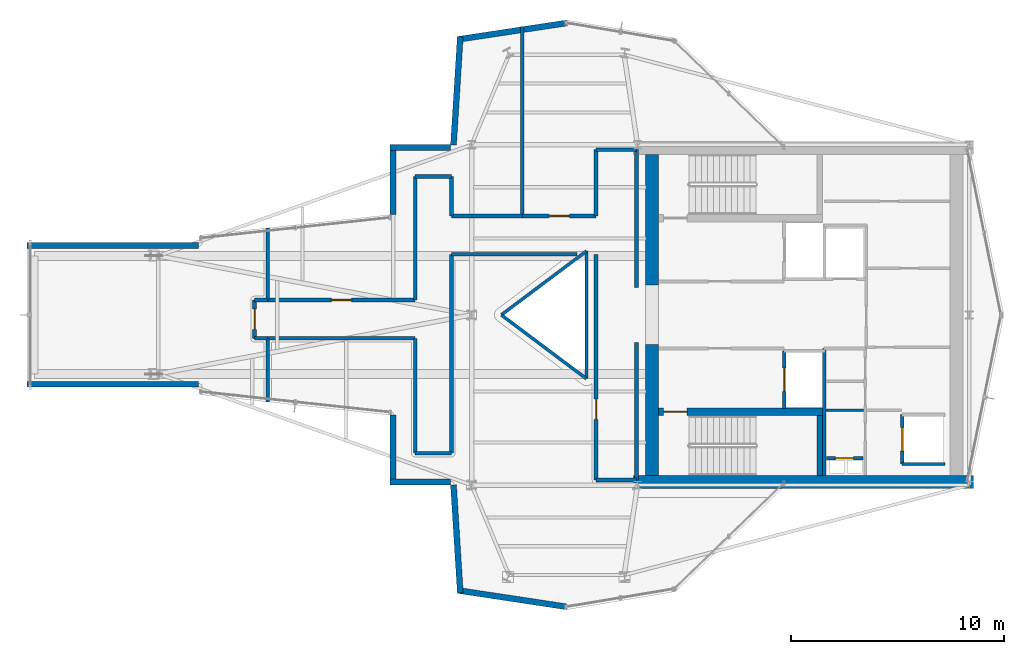
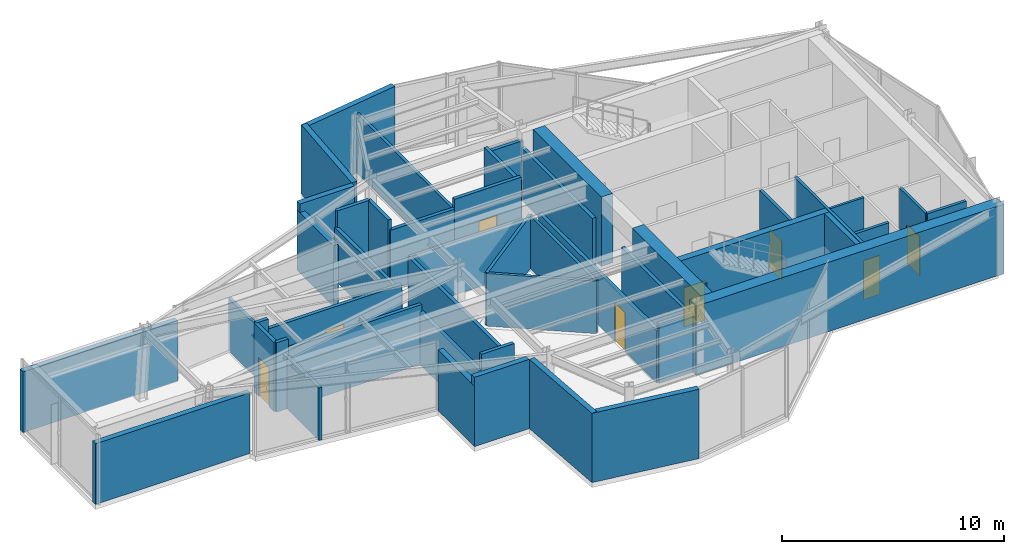
# One storey, part 13 of 18: 47 walls, 8 doors, 8 openings.
"""IFC4 building model written with IfcOpenShell, lengths in metres."""

from ifc_helpers import new_model, si_unit, direction, frame, frame_2d, origin, place, context, subcontext, project, spatial, rectangle, extrude, material, layer, layer_set, type_object, element, fill, save


model = new_model("IFC4")

# Units and contexts
model_context = context("Model", 3, precision=1e-05, world=origin(), true_north=direction((0.0, 1.0)))
body_context = subcontext(model_context, "Body", "Model", "MODEL_VIEW")
ifc_project = project(units=[si_unit("LENGTHUNIT", "METRE"), si_unit("AREAUNIT", "SQUARE_METRE"), si_unit("VOLUMEUNIT", "CUBIC_METRE"), si_unit("PLANEANGLEUNIT", "RADIAN"), si_unit("MASSUNIT", "GRAM", prefix="KILO")], contexts=[model_context])

# Site, building, storey
site_placement = place(None, origin())
site = spatial("IfcSite", under=ifc_project, at=site_placement, CompositionType="ELEMENT")
building_placement = place(site_placement, origin())
building = spatial("IfcBuilding", under=site, at=building_placement, Name="Veymaron Broadcast Tower", CompositionType="ELEMENT")
storey_placement = place(building_placement, frame((0.0, 0.0, 319.5)))
storey = spatial("IfcBuildingStorey", under=building, at=storey_placement, Name="L75", CompositionType="ELEMENT", Elevation=319.5)

# Walls
ifc_material_1 = material(Name="Precast concrete C40/50", Category="concrete")
ifc_layer_1 = layer(ifc_material_1, 0.280029296875)
ifc_layer_set_1 = layer_set([ifc_layer_1], Name="Precast concrete C40/50")
wall_type_1 = type_object("IfcWallType", Name="WALL-EXT-280", PredefinedType="STANDARD", material=ifc_layer_set_1)
wall_1_placement = place(storey_placement, frame((27.498291015625, 19.284423828125, 0.0), z_axis=(0.0, 0.0, 1.0), x_axis=(0.0, -1.0, 0.0)))
element("IfcWall", 1, at=wall_1_placement, inside=storey, type_object=wall_type_1, Name="L75 notched corner facade pier 3-1", PredefinedType="STANDARD", context=body_context, shape_type="SweptSolid", body=[
    extrude(rectangle(XDim=3.284423828125, YDim=0.280029296875, at=frame_2d((1.64208984375, 0.0))), origin(), (0.0, 0.0, 1.0), 3.339111328125),
])
wall_2_placement = place(storey_placement, frame((27.3583984375, 16.139892578125, 0.0), z_axis=(0.0, 0.0, 1.0), x_axis=(1.0, 0.0, 0.0)))
element("IfcWall", 2, at=wall_2_placement, inside=storey, type_object=wall_type_1, Name="L75 notched corner facade pier 4-1", PredefinedType="STANDARD", context=body_context, shape_type="SweptSolid", body=[
    extrude(rectangle(XDim=2.85009765625, YDim=0.280029296875, at=frame_2d((1.425048828125, 0.0))), origin(), (0.0, 0.0, 1.0), 3.81005859375),
])
wall_3_placement = place(storey_placement, frame((30.34814453125, 16.0087890625, 0.0), z_axis=(0.0, 0.0, 1.0), x_axis=(0.062485600391, -0.998045865551, 0.0)))
element("IfcWall", 3, at=wall_3_placement, inside=storey, type_object=wall_type_1, Name="L75 notched corner facade pier 5-1", PredefinedType="STANDARD", context=body_context, shape_type="SweptSolid", body=[
    extrude(rectangle(XDim=5.098876953125, YDim=0.280029296875, at=frame_2d((2.54931640625, 0.0))), origin(), (0.0, 0.0, 1.0), 3.81005859375),
])
for number, where, z_axis, x_axis, name in (
    (4, (30.548095703125, 11.049560546875, 0.0), (0.0, 0.0, 1.0), (0.988753702072, -0.149553056265, 0.0), "L75 notched corner facade pier 6-1"),
    (5, (35.677734375, 37.726318359375, 0.0), (0.0, 0.0, 1.0), (-0.988753702072, -0.149553056265, 0.0), "L75 notched corner facade pier 15-1"),
):
    element("IfcWall", number, at=place(storey_placement, frame(where, z_axis=z_axis, x_axis=x_axis)), inside=storey, type_object=wall_type_1, Name=name, PredefinedType="STANDARD", context=body_context, shape_type="SweptSolid", body=[
        extrude(rectangle(XDim=5.18798828125, YDim=0.280029296875, at=frame_2d((2.593994140625, 0.0))), origin(), (0.0, 0.0, 1.0), 3.81005859375),
    ])
wall_4_placement = place(storey_placement, frame((30.666748046875, 37.080078125, 0.0), z_axis=(0.0, 0.0, 1.0), x_axis=(-0.062485600391, -0.998045865551, 0.0)))
element("IfcWall", 6, at=wall_4_placement, inside=storey, type_object=wall_type_1, Name="L75 notched corner facade pier 16-1", PredefinedType="STANDARD", context=body_context, shape_type="SweptSolid", body=[
    extrude(rectangle(XDim=5.098876953125, YDim=0.280029296875, at=frame_2d((2.54931640625, 0.0))), origin(), (0.0, 0.0, 1.0), 3.81005859375),
])
wall_5_placement = place(storey_placement, frame((30.20849609375, 31.860107421875, 0.0), z_axis=(0.0, 0.0, 1.0), x_axis=(-1.0, 0.0, 0.0)))
element("IfcWall", 7, at=wall_5_placement, inside=storey, type_object=wall_type_1, Name="L75 notched corner facade pier 17-1", PredefinedType="STANDARD", context=body_context, shape_type="SweptSolid", body=[
    extrude(rectangle(XDim=2.85009765625, YDim=0.280029296875, at=frame_2d((1.425048828125, 0.0))), origin(), (0.0, 0.0, 1.0), 3.81005859375),
])
wall_6_placement = place(storey_placement, frame((27.498291015625, 32.0, 0.0), z_axis=(0.0, 0.0, 1.0), x_axis=(0.0, -1.0, 0.0)))
element("IfcWall", 8, at=wall_6_placement, inside=storey, type_object=wall_type_1, Name="L75 notched corner facade pier 18-1", PredefinedType="STANDARD", context=body_context, shape_type="SweptSolid", body=[
    extrude(rectangle(XDim=3.284423828125, YDim=0.280029296875, at=frame_2d((1.64208984375, 0.0))), origin(), (0.0, 0.0, 1.0), 3.339111328125),
])
for number, where, z_axis, x_axis, name in (
    (9, (18.353515625, 27.260009765625, 0.0), (0.0, 0.0, 1.0), (-1.0, 0.0, 0.0), "L75 notched corner facade pier 21-1"),
    (10, (10.308837890625, 20.739990234375, 0.0), (0.0, 0.0, 1.0), (1.0, 0.0, 0.0), "L75 notched corner facade pier 23-1"),
):
    element("IfcWall", number, at=place(storey_placement, frame(where, z_axis=z_axis, x_axis=x_axis)), inside=storey, type_object=wall_type_1, Name=name, PredefinedType="STANDARD", context=body_context, shape_type="SweptSolid", body=[
        extrude(rectangle(XDim=8.044677734375, YDim=0.280029296875, at=frame_2d((4.0224609375, 0.0))), origin(), (0.0, 0.0, 1.0), 3.339111328125),
    ])

# Wall, opening, door
ifc_material_2 = material(Name="Gypsum fireboard and steel stud framing", Category="steel")
ifc_layer_2 = layer(ifc_material_2, 0.14990234375)
ifc_layer_set_2 = layer_set([ifc_layer_2], Name="Gypsum fireboard and steel stud framing")
wall_type_2 = type_object("IfcWallType", Name="WALL-FIRE-150", PredefinedType="PARTITIONING", material=ifc_layer_set_2)
wall_7_placement = place(storey_placement, frame((45.89501953125, 19.590087890625, 0.0), z_axis=(0.0, 0.0, 1.0), x_axis=(0.0, 1.0, 0.0)))
wall_7 = element("IfcWall", 11, at=wall_7_placement, inside=storey, type_object=wall_type_2, Name="L75 partition IW-L75-SHW-FFL-2", PredefinedType="PARTITIONING", context=body_context, shape_type="SweptSolid", body=[
    extrude(rectangle(XDim=2.719970703125, YDim=0.14990234375, at=frame_2d((1.35986328125, 0.0))), origin(), (0.0, 0.0, 1.0), 3.81005859375),
])
opening_1_placement = place(wall_7_placement, frame((0.81005859375, 0.0, 0.0)))
opening_1 = element("IfcOpeningElement", 12, at=opening_1_placement, cuts=wall_7, Name="Opening LD", PredefinedType="OPENING", context=body_context, shape_type="SweptSolid", body=[
    extrude(rectangle(XDim=1.10009765625, YDim=2.14990234375, at=frame_2d((0.550048828125, 1.074951171875))), frame((0.0, 0.0849609375, 0.0), z_axis=(0.0, -1.0, 0.0), x_axis=(1.0, 0.0, 0.0)), (0.0, 0.0, 1.0), 0.169921875),
])
ifc_material_3 = material(Name="Brushed stainless steel AISI 304", Category="steel")
door_type_1 = type_object("IfcDoorType", Name="DOOR-LIFT-1100", OperationType="DOUBLE_DOOR_SLIDING", PredefinedType="DOOR", material=ifc_material_3)
door_1_placement = place(opening_1_placement, frame((1.10009765625, 0.0, 0.0), z_axis=(0.0, 0.0, 1.0), x_axis=(-1.0, 0.0, 0.0)))
door_1 = element("IfcDoor", 13, at=door_1_placement, inside=storey, type_object=door_type_1, Name="L75 door LD-L75-FFL-2", OperationType="DOUBLE_DOOR_SLIDING", OverallHeight=2.14990234375, OverallWidth=1.10009765625, PredefinedType="DOOR", context=body_context, shape_type="SweptSolid", body=[
    extrude(rectangle(XDim=1.10009765625, YDim=2.14990234375, at=frame_2d((0.550048828125, 1.074951171875))), frame((0.0, 0.02490234375, 0.0), z_axis=(0.0, -1.0, 0.0), x_axis=(1.0, 0.0, 0.0)), (0.0, 0.0, 1.0), 0.050048828125),
])
fill(opening_1, door_1)

wall_8_placement = place(storey_placement, frame((51.445068359375, 16.989990234375, 0.0), z_axis=(0.0, 0.0, 1.0), x_axis=(0.0, 1.0, 0.0)))
wall_8 = element("IfcWall", 14, at=wall_8_placement, inside=storey, type_object=wall_type_2, Name="L75 partition IW-L75-SHW-PH1", PredefinedType="PARTITIONING", context=body_context, shape_type="SweptSolid", body=[
    extrude(rectangle(XDim=2.320068359375, YDim=0.14990234375, at=frame_2d((1.16015625, 0.0))), origin(), (0.0, 0.0, 1.0), 3.81005859375),
])
opening_2_placement = place(wall_8_placement, frame((0.610107421875, 0.0, 0.0)))
opening_2 = element("IfcOpeningElement", 15, at=opening_2_placement, cuts=wall_8, Name="Opening LD", PredefinedType="OPENING", context=body_context, shape_type="SweptSolid", body=[
    extrude(rectangle(XDim=1.10009765625, YDim=2.14990234375, at=frame_2d((0.550048828125, 1.074951171875))), frame((0.0, 0.0849609375, 0.0), z_axis=(0.0, -1.0, 0.0), x_axis=(1.0, 0.0, 0.0)), (0.0, 0.0, 1.0), 0.169921875),
])
door_2_placement = place(opening_2_placement, frame((1.10009765625, 0.0, 0.0), z_axis=(0.0, 0.0, 1.0), x_axis=(-1.0, 0.0, 0.0)))
door_2 = element("IfcDoor", 16, at=door_2_placement, inside=storey, type_object=door_type_1, Name="L75 door LD-L75-PH1", OperationType="DOUBLE_DOOR_SLIDING", OverallHeight=2.14990234375, OverallWidth=1.10009765625, PredefinedType="DOOR", context=body_context, shape_type="SweptSolid", body=[
    extrude(rectangle(XDim=1.10009765625, YDim=2.14990234375, at=frame_2d((0.550048828125, 1.074951171875))), frame((0.0, 0.02490234375, 0.0), z_axis=(0.0, -1.0, 0.0), x_axis=(1.0, 0.0, 0.0)), (0.0, 0.0, 1.0), 0.050048828125),
])
fill(opening_2, door_2)

# Wall
wall_9_placement = place(storey_placement, frame((51.445068359375, 16.989990234375, 0.0), z_axis=(0.0, 0.0, 1.0), x_axis=(1.0, 0.0, 0.0)))
element("IfcWall", 17, at=wall_9_placement, inside=storey, type_object=wall_type_2, Name="L75 partition IW-L75-SHS-PH1", PredefinedType="PARTITIONING", context=body_context, shape_type="SweptSolid", body=[
    extrude(rectangle(XDim=2.014892578125, YDim=0.14990234375, at=frame_2d((1.00732421875, 0.0))), origin(), (0.0, 0.0, 1.0), 3.81005859375),
])

# Wall, opening, door
wall_10_placement = place(storey_placement, frame((47.8798828125, 17.260009765625, 0.0), z_axis=(0.0, 0.0, 1.0), x_axis=(1.0, 0.0, 0.0)))
wall_10 = element("IfcWall", 18, at=wall_10_placement, inside=storey, type_object=wall_type_2, Name="L75 partition IW-L75-RIS-N", PredefinedType="PARTITIONING", context=body_context, shape_type="SweptSolid", body=[
    extrude(rectangle(XDim=1.72021484375, YDim=0.14990234375, at=frame_2d((0.860107421875, 0.0))), origin(), (0.0, 0.0, 1.0), 3.81005859375),
])
opening_3_placement = place(wall_10_placement, frame((0.419921875, 0.0, 0.0)))
opening_3 = element("IfcOpeningElement", 19, at=opening_3_placement, cuts=wall_10, Name="Opening ID-RS1", PredefinedType="OPENING", context=body_context, shape_type="SweptSolid", body=[
    extrude(rectangle(XDim=0.85009765625, YDim=2.14990234375, at=frame_2d((0.425048828125, 1.074951171875))), frame((0.0, 0.0849609375, 0.0), z_axis=(0.0, -1.0, 0.0), x_axis=(1.0, 0.0, 0.0)), (0.0, 0.0, 1.0), 0.169921875),
])
ifc_material_4 = material(Name="Fire-rated powder-coated steel riser leaf", Category="steel")
door_type_2 = type_object("IfcDoorType", Name="DOOR-RIS-850", OperationType="NOTDEFINED", PredefinedType="TRAPDOOR", material=ifc_material_4)
door_3_placement = place(opening_3_placement, origin())
door_3 = element("IfcDoor", 20, at=door_3_placement, inside=storey, type_object=door_type_2, Name="L75 door DR-L75-RIS", OperationType="SINGLE_SWING_LEFT", OverallHeight=2.14990234375, OverallWidth=0.85009765625, PredefinedType="TRAPDOOR", context=body_context, shape_type="SweptSolid", body=[
    extrude(rectangle(XDim=0.85009765625, YDim=2.14990234375, at=frame_2d((0.425048828125, 1.074951171875))), frame((0.0, 0.02490234375, 0.0), z_axis=(0.0, -1.0, 0.0), x_axis=(1.0, 0.0, 0.0)), (0.0, 0.0, 1.0), 0.050048828125),
])
fill(opening_3, door_3)

# Wall
wall_11_placement = place(storey_placement, frame((47.780029296875, 16.449951171875, 0.0), z_axis=(0.0, 0.0, 1.0), x_axis=(0.0, 1.0, 0.0)))
element("IfcWall", 21, at=wall_11_placement, inside=storey, type_object=wall_type_2, Name="L75 partition IW-L75-SM-W", PredefinedType="PARTITIONING", context=body_context, shape_type="SweptSolid", body=[
    extrude(rectangle(XDim=5.97509765625, YDim=0.14990234375, at=frame_2d((2.987548828125, 0.0))), origin(), (0.0, 0.0, 1.0), 3.81005859375),
])

# Wall, opening, door
ifc_material_5 = material(Name="Concrete C40/50", Category="concrete")
ifc_layer_3 = layer(ifc_material_5, 0.179931640625)
ifc_layer_set_3 = layer_set([ifc_layer_3], Name="Concrete C40/50")
wall_type_3 = type_object("IfcWallType", Name="WALL-FIRE-180", PredefinedType="SOLIDWALL", material=ifc_layer_set_3)
wall_12_placement = place(storey_placement, frame((37.050048828125, 16.235107421875, 0.0), z_axis=(0.0, 0.0, 1.0), x_axis=(0.0, 1.0, 0.0)))
wall_12 = element("IfcWall", 22, at=wall_12_placement, inside=storey, type_object=wall_type_3, Name="L75 partition IW-L75-P01", PredefinedType="SOLIDWALL", context=body_context, shape_type="SweptSolid", body=[
    extrude(rectangle(XDim=10.614990234375, YDim=0.179931640625, at=frame_2d((5.3076171875, 0.0))), origin(), (0.0, 0.0, 1.0), 2.885986328125),
])
opening_4_placement = place(wall_12_placement, frame((2.852294921875, 0.0, 0.0)))
opening_4 = element("IfcOpeningElement", 23, at=opening_4_placement, cuts=wall_12, Name="Opening ID-RM1", PredefinedType="OPENING", context=body_context, shape_type="SweptSolid", body=[
    extrude(rectangle(XDim=0.949951171875, YDim=2.14990234375, at=frame_2d((0.47509765625, 1.074951171875))), frame((0.0, 0.10009765625, 0.0), z_axis=(0.0, -1.0, 0.0), x_axis=(1.0, 0.0, 0.0)), (0.0, 0.0, 1.0), 0.199951171875),
])
ifc_material_6 = material(Name="Acoustic solid-core European oak veneer timber", Category="wood")
door_type_3 = type_object("IfcDoorType", Name="DOOR-INT-950", OperationType="NOTDEFINED", PredefinedType="DOOR", material=ifc_material_6)
door_4_placement = place(opening_4_placement, frame((0.949951171875, 0.0, 0.0), z_axis=(0.0, 0.0, 1.0), x_axis=(-1.0, 0.0, 0.0)))
door_4 = element("IfcDoor", 24, at=door_4_placement, inside=storey, type_object=door_type_3, Name="L75 door DR-L75-P01", OperationType="SINGLE_SWING_RIGHT", OverallHeight=2.14990234375, OverallWidth=0.949951171875, PredefinedType="DOOR", context=body_context, shape_type="SweptSolid", body=[
    extrude(rectangle(XDim=0.949951171875, YDim=2.14990234375, at=frame_2d((0.47509765625, 1.074951171875))), frame((0.0, 0.02490234375, 0.0), z_axis=(0.0, -1.0, 0.0), x_axis=(1.0, 0.0, 0.0)), (0.0, 0.0, 1.0), 0.050048828125),
])
fill(opening_4, door_4)

wall_13_placement = place(storey_placement, frame((21.0, 22.89990234375, 0.0), z_axis=(0.0, 0.0, 1.0), x_axis=(0.0, 1.0, 0.0)))
wall_13 = element("IfcWall", 25, at=wall_13_placement, inside=storey, type_object=wall_type_3, Name="L75 partition IW-L75-P09", PredefinedType="SOLIDWALL", context=body_context, shape_type="SweptSolid", body=[
    extrude(rectangle(XDim=1.800048828125, YDim=0.179931640625, at=frame_2d((0.89990234375, 0.0))), origin(), (0.0, 0.0, 1.0), 3.81005859375),
])
opening_5_placement = place(wall_13_placement, frame((0.425048828125, 0.0, 0.0)))
opening_5 = element("IfcOpeningElement", 26, at=opening_5_placement, cuts=wall_13, Name="Opening ID-RM1", PredefinedType="OPENING", context=body_context, shape_type="SweptSolid", body=[
    extrude(rectangle(XDim=0.949951171875, YDim=2.14990234375, at=frame_2d((0.47509765625, 1.074951171875))), frame((0.0, 0.10009765625, 0.0), z_axis=(0.0, -1.0, 0.0), x_axis=(1.0, 0.0, 0.0)), (0.0, 0.0, 1.0), 0.199951171875),
])
door_5_placement = place(opening_5_placement, origin())
door_5 = element("IfcDoor", 27, at=door_5_placement, inside=storey, type_object=door_type_3, Name="L75 door DR-L75-P09", OperationType="SINGLE_SWING_RIGHT", OverallHeight=2.14990234375, OverallWidth=0.949951171875, PredefinedType="DOOR", context=body_context, shape_type="SweptSolid", body=[
    extrude(rectangle(XDim=0.949951171875, YDim=2.14990234375, at=frame_2d((0.47509765625, 1.074951171875))), frame((0.0, 0.02490234375, 0.0), z_axis=(0.0, -1.0, 0.0), x_axis=(1.0, 0.0, 0.0)), (0.0, 0.0, 1.0), 0.050048828125),
])
fill(opening_5, door_5)

wall_14_placement = place(storey_placement, frame((21.614013671875, 24.699951171875, 0.0), z_axis=(0.0, 0.0, 1.0), x_axis=(1.0, 0.0, 0.0)))
wall_14 = element("IfcWall", 28, at=wall_14_placement, inside=storey, type_object=wall_type_3, Name="L75 partition IW-L75-P12", PredefinedType="SOLIDWALL", context=body_context, shape_type="SweptSolid", body=[
    extrude(rectangle(XDim=6.93603515625, YDim=0.179931640625, at=frame_2d((3.468017578125, 0.0))), origin(), (0.0, 0.0, 1.0), 3.27001953125),
])
opening_6_placement = place(wall_14_placement, frame((2.992919921875, 0.0, 0.0)))
opening_6 = element("IfcOpeningElement", 29, at=opening_6_placement, cuts=wall_14, Name="Opening ID-RM1", PredefinedType="OPENING", context=body_context, shape_type="SweptSolid", body=[
    extrude(rectangle(XDim=0.949951171875, YDim=2.14990234375, at=frame_2d((0.47509765625, 1.074951171875))), frame((0.0, 0.10009765625, 0.0), z_axis=(0.0, -1.0, 0.0), x_axis=(1.0, 0.0, 0.0)), (0.0, 0.0, 1.0), 0.199951171875),
])
door_6_placement = place(opening_6_placement, origin())
door_6 = element("IfcDoor", 30, at=door_6_placement, inside=storey, type_object=door_type_3, Name="L75 door DR-L75-P12", OperationType="SINGLE_SWING_LEFT", OverallHeight=2.14990234375, OverallWidth=0.949951171875, PredefinedType="DOOR", context=body_context, shape_type="SweptSolid", body=[
    extrude(rectangle(XDim=0.949951171875, YDim=2.14990234375, at=frame_2d((0.47509765625, 1.074951171875))), frame((0.0, 0.02490234375, 0.0), z_axis=(0.0, -1.0, 0.0), x_axis=(1.0, 0.0, 0.0)), (0.0, 0.0, 1.0), 0.050048828125),
])
fill(opening_6, door_6)

wall_15_placement = place(storey_placement, frame((33.5830078125, 28.64990234375, 0.0), z_axis=(0.0, 0.0, 1.0), x_axis=(1.0, 0.0, 0.0)))
wall_15 = element("IfcWall", 31, at=wall_15_placement, inside=storey, type_object=wall_type_3, Name="L75 partition IW-L75-P18", PredefinedType="SOLIDWALL", context=body_context, shape_type="SweptSolid", body=[
    extrude(rectangle(XDim=3.467041015625, YDim=0.179931640625, at=frame_2d((1.7333984375, 0.0))), origin(), (0.0, 0.0, 1.0), 3.81005859375),
])
opening_7_placement = place(wall_15_placement, frame((1.258544921875, 0.0, 0.0)))
opening_7 = element("IfcOpeningElement", 32, at=opening_7_placement, cuts=wall_15, Name="Opening ID-RM1", PredefinedType="OPENING", context=body_context, shape_type="SweptSolid", body=[
    extrude(rectangle(XDim=0.949951171875, YDim=2.14990234375, at=frame_2d((0.47509765625, 1.074951171875))), frame((0.0, 0.10009765625, 0.0), z_axis=(0.0, -1.0, 0.0), x_axis=(1.0, 0.0, 0.0)), (0.0, 0.0, 1.0), 0.199951171875),
])
door_7_placement = place(opening_7_placement, origin())
door_7 = element("IfcDoor", 33, at=door_7_placement, inside=storey, type_object=door_type_3, Name="L75 door DR-L75-P18", OperationType="SINGLE_SWING_LEFT", OverallHeight=2.14990234375, OverallWidth=0.949951171875, PredefinedType="DOOR", context=body_context, shape_type="SweptSolid", body=[
    extrude(rectangle(XDim=0.949951171875, YDim=2.14990234375, at=frame_2d((0.47509765625, 1.074951171875))), frame((0.0, 0.02490234375, 0.0), z_axis=(0.0, -1.0, 0.0), x_axis=(1.0, 0.0, 0.0)), (0.0, 0.0, 1.0), 0.050048828125),
])
fill(opening_7, door_7)

# Walls
wall_16_placement = place(storey_placement, frame((30.25, 17.5, 0.0), z_axis=(0.0, 0.0, 1.0), x_axis=(0.0, 1.0, 0.0)))
element("IfcWall", 34, at=wall_16_placement, inside=storey, type_object=wall_type_3, Name="L75 partition IW-L75-P02", PredefinedType="SOLIDWALL", context=body_context, shape_type="SweptSolid", body=[
    extrude(rectangle(XDim=9.35009765625, YDim=0.179931640625, at=frame_2d((4.675048828125, 0.0))), origin(), (0.0, 0.0, 1.0), 2.885986328125),
])
wall_17_placement = place(storey_placement, frame((21.614013671875, 22.89990234375, 0.0), z_axis=(0.0, 0.0, 1.0), x_axis=(1.0, 0.0, 0.0)))
element("IfcWall", 35, at=wall_17_placement, inside=storey, type_object=wall_type_3, Name="L75 partition IW-L75-P03", PredefinedType="SOLIDWALL", context=body_context, shape_type="SweptSolid", body=[
    extrude(rectangle(XDim=6.93603515625, YDim=0.179931640625, at=frame_2d((3.468017578125, 0.0))), origin(), (0.0, 0.0, 1.0), 3.27001953125),
])
wall_18_placement = place(storey_placement, frame((38.949951171875, 16.235107421875, 0.0), z_axis=(0.0, 0.0, 1.0), x_axis=(0.0, 1.0, 0.0)))
element("IfcWall", 36, at=wall_18_placement, inside=storey, type_object=wall_type_3, Name="L75 partition IW-L75-P04", PredefinedType="SOLIDWALL", context=body_context, shape_type="SweptSolid", body=[
    extrude(rectangle(XDim=6.46484375, YDim=0.179931640625, at=frame_2d((3.232421875, 0.0))), origin(), (0.0, 0.0, 1.0), 2.885986328125),
])
wall_19_placement = place(storey_placement, frame((30.25, 26.85009765625, 0.0), z_axis=(0.0, 0.0, 1.0), x_axis=(1.0, 0.0, 0.0)))
element("IfcWall", 37, at=wall_19_placement, inside=storey, type_object=wall_type_3, Name="L75 partition IW-L75-P05", PredefinedType="SOLIDWALL", context=body_context, shape_type="SweptSolid", body=[
    extrude(rectangle(XDim=5.89990234375, YDim=0.179931640625, at=frame_2d((2.949951171875, 0.0))), origin(), (0.0, 0.0, 1.0), 2.885986328125),
])
wall_20_placement = place(storey_placement, frame((28.550048828125, 17.5, 0.0), z_axis=(0.0, 0.0, 1.0), x_axis=(0.0, 1.0, 0.0)))
element("IfcWall", 38, at=wall_20_placement, inside=storey, type_object=wall_type_3, Name="L75 partition IW-L75-P06", PredefinedType="SOLIDWALL", context=body_context, shape_type="SweptSolid", body=[
    extrude(rectangle(XDim=5.39990234375, YDim=0.179931640625, at=frame_2d((2.699951171875, 0.0))), origin(), (0.0, 0.0, 1.0), 2.885986328125),
])
wall_21_placement = place(storey_placement, frame((37.050048828125, 16.235107421875, 0.0), z_axis=(0.0, 0.0, 1.0), x_axis=(1.0, 0.0, 0.0)))
element("IfcWall", 39, at=wall_21_placement, inside=storey, type_object=wall_type_3, Name="L75 partition IW-L75-P07", PredefinedType="SOLIDWALL", context=body_context, shape_type="SweptSolid", body=[
    extrude(rectangle(XDim=1.89990234375, YDim=0.179931640625, at=frame_2d((0.949951171875, 0.0))), origin(), (0.0, 0.0, 1.0), 3.27001953125),
])
wall_22_placement = place(storey_placement, frame((28.550048828125, 17.5, 0.0), z_axis=(0.0, 0.0, 1.0), x_axis=(1.0, 0.0, 0.0)))
element("IfcWall", 40, at=wall_22_placement, inside=storey, type_object=wall_type_3, Name="L75 partition IW-L75-P08", PredefinedType="SOLIDWALL", context=body_context, shape_type="SweptSolid", body=[
    extrude(rectangle(XDim=1.699951171875, YDim=0.179931640625, at=frame_2d((0.85009765625, 0.0))), origin(), (0.0, 0.0, 1.0), 3.81005859375),
])
for number, where, z_axis, x_axis, name in (
    (41, (21.0, 22.89990234375, 0.0), (0.0, 0.0, 1.0), (1.0, 0.0, 0.0), "L75 partition IW-L75-P10"),
    (42, (21.0, 24.699951171875, 0.0), (0.0, 0.0, 1.0), (1.0, 0.0, 0.0), "L75 partition IW-L75-P11"),
):
    element("IfcWall", number, at=place(storey_placement, frame(where, z_axis=z_axis, x_axis=x_axis)), inside=storey, type_object=wall_type_3, Name=name, PredefinedType="SOLIDWALL", context=body_context, shape_type="SweptSolid", body=[
        extrude(rectangle(XDim=0.614013671875, YDim=0.179931640625, at=frame_2d((0.30712890625, 0.0))), origin(), (0.0, 0.0, 1.0), 3.81005859375),
    ])
wall_23_placement = place(storey_placement, frame((28.550048828125, 24.699951171875, 0.0), z_axis=(0.0, 0.0, 1.0), x_axis=(0.0, 1.0, 0.0)))
element("IfcWall", 43, at=wall_23_placement, inside=storey, type_object=wall_type_3, Name="L75 partition IW-L75-P13", PredefinedType="SOLIDWALL", context=body_context, shape_type="SweptSolid", body=[
    extrude(rectangle(XDim=5.800048828125, YDim=0.179931640625, at=frame_2d((2.89990234375, 0.0))), origin(), (0.0, 0.0, 1.0), 2.885986328125),
])
wall_24_placement = place(storey_placement, frame((30.25, 28.64990234375, 0.0), z_axis=(0.0, 0.0, 1.0), x_axis=(1.0, 0.0, 0.0)))
element("IfcWall", 44, at=wall_24_placement, inside=storey, type_object=wall_type_3, Name="L75 partition IW-L75-P14", PredefinedType="SOLIDWALL", context=body_context, shape_type="SweptSolid", body=[
    extrude(rectangle(XDim=3.3330078125, YDim=0.179931640625, at=frame_2d((1.66650390625, 0.0))), origin(), (0.0, 0.0, 1.0), 3.27001953125),
])
wall_25_placement = place(storey_placement, frame((30.25, 28.64990234375, 0.0), z_axis=(0.0, 0.0, 1.0), x_axis=(0.0, 1.0, 0.0)))
element("IfcWall", 45, at=wall_25_placement, inside=storey, type_object=wall_type_3, Name="L75 partition IW-L75-P15", PredefinedType="SOLIDWALL", context=body_context, shape_type="SweptSolid", body=[
    extrude(rectangle(XDim=1.85009765625, YDim=0.179931640625, at=frame_2d((0.925048828125, 0.0))), origin(), (0.0, 0.0, 1.0), 3.81005859375),
])
wall_26_placement = place(storey_placement, frame((28.550048828125, 30.5, 0.0), z_axis=(0.0, 0.0, 1.0), x_axis=(1.0, 0.0, 0.0)))
element("IfcWall", 46, at=wall_26_placement, inside=storey, type_object=wall_type_3, Name="L75 partition IW-L75-P16", PredefinedType="SOLIDWALL", context=body_context, shape_type="SweptSolid", body=[
    extrude(rectangle(XDim=1.699951171875, YDim=0.179931640625, at=frame_2d((0.85009765625, 0.0))), origin(), (0.0, 0.0, 1.0), 3.81005859375),
])
wall_27_placement = place(storey_placement, frame((38.949951171875, 25.300048828125, 0.0), z_axis=(0.0, 0.0, 1.0), x_axis=(0.0, 1.0, 0.0)))
element("IfcWall", 47, at=wall_27_placement, inside=storey, type_object=wall_type_3, Name="L75 partition IW-L75-P17", PredefinedType="SOLIDWALL", context=body_context, shape_type="SweptSolid", body=[
    extrude(rectangle(XDim=6.46484375, YDim=0.179931640625, at=frame_2d((3.232421875, 0.0))), origin(), (0.0, 0.0, 1.0), 2.885986328125),
])
wall_28_placement = place(storey_placement, frame((37.050048828125, 28.64990234375, 0.0), z_axis=(0.0, 0.0, 1.0), x_axis=(0.0, 1.0, 0.0)))
element("IfcWall", 48, at=wall_28_placement, inside=storey, type_object=wall_type_3, Name="L75 partition IW-L75-P19", PredefinedType="SOLIDWALL", context=body_context, shape_type="SweptSolid", body=[
    extrude(rectangle(XDim=3.114990234375, YDim=0.179931640625, at=frame_2d((1.5576171875, 0.0))), origin(), (0.0, 0.0, 1.0), 3.5400390625),
])
wall_29_placement = place(storey_placement, frame((37.050048828125, 31.764892578125, 0.0), z_axis=(0.0, 0.0, 1.0), x_axis=(1.0, 0.0, 0.0)))
element("IfcWall", 49, at=wall_29_placement, inside=storey, type_object=wall_type_3, Name="L75 partition IW-L75-P20", PredefinedType="SOLIDWALL", context=body_context, shape_type="SweptSolid", body=[
    extrude(rectangle(XDim=1.89990234375, YDim=0.179931640625, at=frame_2d((0.949951171875, 0.0))), origin(), (0.0, 0.0, 1.0), 3.27001953125),
])
ifc_material_7 = material(Name="Fire-rated laminated glass in aluminium frame", Category="aluminium")
ifc_layer_4 = layer(ifc_material_7, 0.14990234375)
ifc_layer_set_4 = layer_set([ifc_layer_4], Name="Fire-rated laminated glass in aluminium frame")
wall_type_4 = type_object("IfcWallType", Name="WALL-GLZ-150", PredefinedType="MOVABLE", material=ifc_layer_set_4)
wall_30_placement = place(storey_placement, frame((21.614013671875, 19.9072265625, 0.0), z_axis=(0.0, 0.0, 1.0), x_axis=(0.0, 1.0, 0.0)))
element("IfcWall", 50, at=wall_30_placement, inside=storey, type_object=wall_type_4, Name="L75 partition IW-L75-P21", PredefinedType="MOVABLE", context=body_context, shape_type="SweptSolid", body=[
    extrude(rectangle(XDim=2.99267578125, YDim=0.14990234375, at=frame_2d((1.496337890625, 0.0))), origin(), (0.0, 0.0, 1.0), 2.885986328125),
])
wall_31_placement = place(storey_placement, frame((21.614013671875, 24.699951171875, 0.0), z_axis=(0.0, 0.0, 1.0), x_axis=(0.0, 1.0, 0.0)))
element("IfcWall", 51, at=wall_31_placement, inside=storey, type_object=wall_type_4, Name="L75 partition IW-L75-P22", PredefinedType="MOVABLE", context=body_context, shape_type="SweptSolid", body=[
    extrude(rectangle(XDim=3.392822265625, YDim=0.14990234375, at=frame_2d((1.6962890625, 0.0))), origin(), (0.0, 0.0, 1.0), 2.885986328125),
])
wall_32_placement = place(storey_placement, frame((33.5830078125, 28.64990234375, 0.0), z_axis=(0.0, 0.0, 1.0), x_axis=(0.0, 1.0, 0.0)))
element("IfcWall", 52, at=wall_32_placement, inside=storey, type_object=wall_type_4, Name="L75 partition IW-L75-P23", PredefinedType="MOVABLE", context=body_context, shape_type="SweptSolid", body=[
    extrude(rectangle(XDim=8.901123046875, YDim=0.14990234375, at=frame_2d((4.45068359375, 0.0))), origin(), (0.0, 0.0, 1.0), 3.27001953125),
])
wall_33_placement = place(storey_placement, frame((32.60009765625, 24.0, 0.0), z_axis=(0.0, 0.0, 1.0), x_axis=(0.8, -0.6, 0.0)))
element("IfcWall", 53, at=wall_33_placement, inside=storey, type_object=wall_type_4, Name="L75 partition IW-L75-ATR1", PredefinedType="MOVABLE", context=body_context, shape_type="SweptSolid", body=[
    extrude(rectangle(XDim=5.0, YDim=0.14990234375, at=frame_2d((2.5, 0.0))), origin(), (0.0, 0.0, 1.0), 2.885986328125),
])
wall_34_placement = place(storey_placement, frame((36.60009765625, 21.0, 0.0), z_axis=(0.0, 0.0, 1.0), x_axis=(0.0, 1.0, 0.0)))
element("IfcWall", 54, at=wall_34_placement, inside=storey, type_object=wall_type_4, Name="L75 partition IW-L75-ATR2", PredefinedType="MOVABLE", context=body_context, shape_type="SweptSolid", body=[
    extrude(rectangle(XDim=6.0, YDim=0.14990234375, at=frame_2d((3.0, 0.0))), origin(), (0.0, 0.0, 1.0), 2.885986328125),
])
wall_35_placement = place(storey_placement, frame((36.60009765625, 27.0, 0.0), z_axis=(0.0, 0.0, 1.0), x_axis=(-0.8, -0.6, 0.0)))
element("IfcWall", 55, at=wall_35_placement, inside=storey, type_object=wall_type_4, Name="L75 partition IW-L75-ATR3", PredefinedType="MOVABLE", context=body_context, shape_type="SweptSolid", body=[
    extrude(rectangle(XDim=5.0, YDim=0.14990234375, at=frame_2d((2.5, 0.0))), origin(), (0.0, 0.0, 1.0), 2.885986328125),
])
ifc_material_8 = material(Name="Acoustic gypsum board and galvanized stud", Category="gypsum")
ifc_layer_5 = layer(ifc_material_8, 0.1201171875)
ifc_layer_set_5 = layer_set([ifc_layer_5], Name="Acoustic gypsum board and galvanized stud")
wall_type_5 = type_object("IfcWallType", Name="WALL-PART-120", PredefinedType="PARTITIONING", material=ifc_layer_set_5)
wall_36_placement = place(storey_placement, frame((47.860107421875, 19.52001953125, 0.0), z_axis=(0.0, 0.0, 1.0), x_axis=(1.0, 0.0, 0.0)))
element("IfcWall", 56, at=wall_36_placement, inside=storey, type_object=wall_type_5, Name="L75 partition IW-L75-SM-D1", PredefinedType="PARTITIONING", context=body_context, shape_type="SweptSolid", body=[
    extrude(rectangle(XDim=1.760009765625, YDim=0.1201171875, at=frame_2d((0.8798828125, 0.0))), origin(), (0.0, 0.0, 1.0), 3.81005859375),
])
ifc_material_9 = material(Name="Concrete C50/60", Category="concrete")
ifc_layer_6 = layer(ifc_material_9, 0.25)
ifc_layer_set_6 = layer_set([ifc_layer_6], Name="Concrete C50/60")
wall_type_6 = type_object("IfcWallType", Name="WALL-SHEAR-250", PredefinedType="SHEAR", material=ifc_layer_set_6)
wall_37_placement = place(storey_placement, frame((47.56494140625, 16.449951171875, 0.0), z_axis=(0.0, 0.0, 1.0), x_axis=(0.0, 1.0, 0.0)))
element("IfcWall", 57, at=wall_37_placement, inside=storey, type_object=wall_type_6, Name="L75 Core Wall south stair east shear", PredefinedType="SHEAR", context=body_context, shape_type="SweptSolid", body=[
    extrude(rectangle(XDim=2.820068359375, YDim=0.25, at=frame_2d((1.41015625, 0.0))), origin(), (0.0, 0.0, 1.0), 3.81005859375),
])

# Wall, opening, door
ifc_layer_7 = layer(ifc_material_9, 0.35009765625)
ifc_layer_set_7 = layer_set([ifc_layer_7], Name="Concrete C50/60")
wall_type_7 = type_object("IfcWallType", Name="WALL-SHEAR-350", PredefinedType="SHEAR", material=ifc_layer_set_7)
wall_38_placement = place(storey_placement, frame((39.97998046875, 19.445068359375, 0.0), z_axis=(0.0, 0.0, 1.0), x_axis=(1.0, 0.0, 0.0)))
wall_38 = element("IfcWall", 58, at=wall_38_placement, inside=storey, type_object=wall_type_7, Name="L75 Core Wall south stair spine", PredefinedType="SHEAR", context=body_context, shape_type="SweptSolid", body=[
    extrude(rectangle(XDim=7.7099609375, YDim=0.35009765625, at=frame_2d((3.85498046875, 0.0))), origin(), (0.0, 0.0, 1.0), 3.81005859375),
])
opening_8_placement = place(wall_38_placement, frame((0.25, 0.0, 0.0)))
opening_8 = element("IfcOpeningElement", 59, at=opening_8_placement, cuts=wall_38, Name="Opening ID-ST1", PredefinedType="OPENING", context=body_context, shape_type="SweptSolid", body=[
    extrude(rectangle(XDim=1.10009765625, YDim=2.14990234375, at=frame_2d((0.550048828125, 1.074951171875))), frame((0.0, 0.18505859375, 0.0), z_axis=(0.0, -1.0, 0.0), x_axis=(1.0, 0.0, 0.0)), (0.0, 0.0, 1.0), 0.3701171875),
])
ifc_material_10 = material(Name="Fire-rated painted hollow steel ASTM A653", Category="steel")
door_type_4 = type_object("IfcDoorType", Name="DOOR-STAIR-1100", OperationType="NOTDEFINED", PredefinedType="DOOR", material=ifc_material_10)
door_8_placement = place(opening_8_placement, frame((1.10009765625, 0.0, 0.0), z_axis=(0.0, 0.0, 1.0), x_axis=(-1.0, 0.0, 0.0)))
door_8 = element("IfcDoor", 60, at=door_8_placement, inside=storey, type_object=door_type_4, Name="L75 exit stair ST2 fire door", OperationType="SINGLE_SWING_LEFT", OverallHeight=2.14990234375, OverallWidth=1.10009765625, PredefinedType="DOOR", context=body_context, shape_type="SweptSolid", body=[
    extrude(rectangle(XDim=1.10009765625, YDim=2.14990234375, at=frame_2d((0.550048828125, 1.074951171875))), frame((0.0, 0.02490234375, 0.0), z_axis=(0.0, -1.0, 0.0), x_axis=(1.0, 0.0, 0.0)), (0.0, 0.0, 1.0), 0.050048828125),
])
fill(opening_8, door_8)

# Walls
ifc_layer_8 = layer(ifc_material_9, 0.60009765625)
ifc_layer_set_8 = layer_set([ifc_layer_8], Name="Concrete C50/60")
wall_type_8 = type_object("IfcWallType", Name="WALL-SHEAR-600", PredefinedType="SHEAR", material=ifc_layer_set_8)
wall_39_placement = place(storey_placement, frame((38.800048828125, 16.14990234375, 0.0), z_axis=(0.0, 0.0, 1.0), x_axis=(1.0, 0.0, 0.0)))
element("IfcWall", 61, at=wall_39_placement, inside=storey, type_object=wall_type_8, Name="L75 Core Wall south shear", PredefinedType="SHEAR", context=body_context, shape_type="SweptSolid", body=[
    extrude(rectangle(XDim=16.0, YDim=0.60009765625, at=frame_2d((8.0, 0.0))), origin(), (0.0, 0.0, 1.0), 3.81005859375),
])
for number, where, z_axis, x_axis, name in (
    (62, (39.679931640625, 16.449951171875, 0.0), (0.0, 0.0, 1.0), (0.0, 1.0, 0.0), "L75 Core Wall west-south shear"),
    (63, (39.679931640625, 25.39990234375, 0.0), (0.0, 0.0, 1.0), (0.0, 1.0, 0.0), "L75 Core Wall west-north shear"),
):
    element("IfcWall", number, at=place(storey_placement, frame(where, z_axis=z_axis, x_axis=x_axis)), inside=storey, type_object=wall_type_8, Name=name, PredefinedType="SHEAR", context=body_context, shape_type="SweptSolid", body=[
        extrude(rectangle(XDim=6.150146484375, YDim=0.60009765625, at=frame_2d((3.0751953125, 0.0))), origin(), (0.0, 0.0, 1.0), 3.81005859375),
    ])

save(model, "model.ifc")
